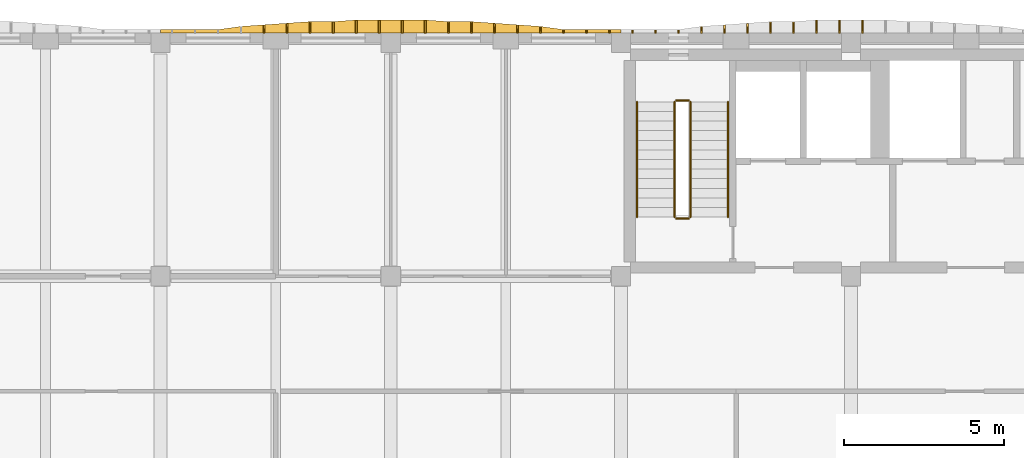
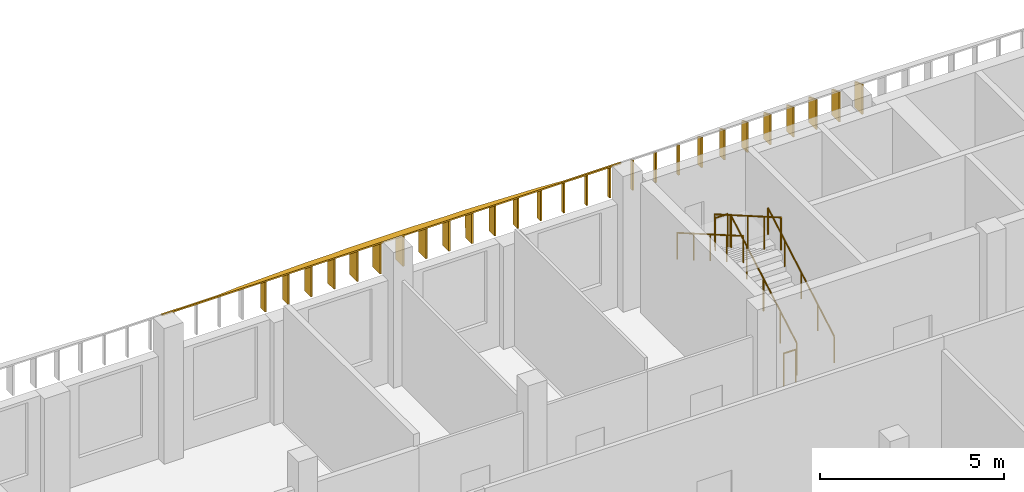
# One storey, part 36 of 44: 28 shading devices, 6 railings.
"""IFC4 building model written with IfcOpenShell, lengths in metres."""

from ifc_helpers import new_model, si_unit, direction, frame, origin, origin_2d, place, context, subcontext, project, spatial, polyline, circle, outline, extrude, material, layer, layer_set, type_object, element, save


model = new_model("IFC4")

# Units and contexts
model_context = context("Model", 3, precision=1e-05, world=origin(), true_north=direction((0.0, 1.0)))
body_context = subcontext(model_context, "Body", "Model", "MODEL_VIEW")
ifc_project = project(units=[si_unit("LENGTHUNIT", "METRE"), si_unit("AREAUNIT", "SQUARE_METRE"), si_unit("VOLUMEUNIT", "CUBIC_METRE"), si_unit("PLANEANGLEUNIT", "RADIAN"), si_unit("MASSUNIT", "GRAM", prefix="KILO")], contexts=[model_context])

# Site, building, storey
site_placement = place(None, origin())
site = spatial("IfcSite", under=ifc_project, at=site_placement, CompositionType="ELEMENT")
building_placement = place(site_placement, origin())
building = spatial("IfcBuilding", under=site, at=building_placement, Name="Ussher Court Research Institute", CompositionType="ELEMENT")
storey_placement = place(building_placement, frame((0.0, 0.0, 18.89990234375)))
storey = spatial("IfcBuildingStorey", under=building, at=storey_placement, Name="L04", CompositionType="ELEMENT", Elevation=18.89990234375)

# Shading devices
ifc_material_1 = material(Name="Bronze anodised aluminium", Category="aluminium")
ifc_layer_1 = layer(ifc_material_1, 0.050048828125)
ifc_layer_set_1 = layer_set([ifc_layer_1], Name="Bronze anodised aluminium")
shading_device_type_1 = type_object("IfcShadingDeviceType", Name="Brim blade 100 mm deep 1000 mm high canted 20 deg dry", PredefinedType="USERDEFINED", material=ifc_layer_set_1)
for number, where, z_axis, x_axis, name in (
    (1, (44.39990234375, 90.800048828125, 3.4501953125), (0.0, 0.0, 1.0), (0.0, 1.0, 0.0), "Brim blade BS17 L04"),
    (2, (45.1201171875, 90.800048828125, 3.4501953125), (0.0, 0.0, 1.0), (0.0, 1.0, 0.0), "Brim blade BS17 L04"),
    (3, (45.840087890625, 90.800048828125, 3.4501953125), (0.0, 0.0, 1.0), (0.0, 1.0, 0.0), "Brim blade BS17 L04"),
    (4, (46.56005859375, 90.800048828125, 3.4501953125), (0.0, 0.0, 1.0), (0.0, 1.0, 0.0), "Brim blade BS17 L04"),
    (5, (47.280029296875, 90.800048828125, 3.4501953125), (0.0, 0.0, 1.0), (0.0, 1.0, 0.0), "Brim blade BS17 L04"),
    (6, (48.0, 90.800048828125, 3.4501953125), (0.0, 0.0, 1.0), (0.0, 1.0, 0.0), "Brim blade BS17 L04"),
):
    element("IfcShadingDevice", number, at=place(storey_placement, frame(where, z_axis=z_axis, x_axis=x_axis)), inside=storey, type_object=shading_device_type_1, Name=name, ObjectType="BLADE", PredefinedType="USERDEFINED", context=body_context, shape_type="SweptSolid", body=[
        extrude(outline(polyline([(0.0, 0.0), (0.099853515625, 0.0), (0.10009765625, 0.963623046875), (0.0, 1.0), (0.0, 0.0)])), frame((0.0, 0.02490234375, 0.0), z_axis=(0.0, -1.0, 0.0), x_axis=(1.0, 0.0, 0.0)), (0.0, 0.0, 1.0), 0.050048828125),
    ])
ifc_material_2 = material(Name="Bronze anodised aluminium", Category="aluminium")
ifc_layer_2 = layer(ifc_material_2, 0.050048828125)
ifc_layer_set_2 = layer_set([ifc_layer_2], Name="Bronze anodised aluminium")
shading_device_type_2 = type_object("IfcShadingDeviceType", Name="Brim blade 200 mm deep 1000 mm high canted 20 deg dry", PredefinedType="USERDEFINED", material=ifc_layer_set_2)
for number, where, z_axis, x_axis, name in (
    (7, (43.679931640625, 90.800048828125, 3.4501953125), (0.0, 0.0, 1.0), (0.0, 1.0, 0.0), "Brim blade BS15 L04"),
    (8, (48.719970703125, 90.800048828125, 3.4501953125), (0.0, 0.0, 1.0), (0.0, 1.0, 0.0), "Brim blade BS15 L04"),
):
    element("IfcShadingDevice", number, at=place(storey_placement, frame(where, z_axis=z_axis, x_axis=x_axis)), inside=storey, type_object=shading_device_type_2, Name=name, ObjectType="BLADE", PredefinedType="USERDEFINED", context=body_context, shape_type="SweptSolid", body=[
        extrude(outline(polyline([(0.0, 0.0), (0.199951171875, 0.0), (0.199951171875, 0.927001953125), (0.0, 1.0), (0.0, 0.0)])), frame((0.0, 0.02490234375, 0.0), z_axis=(0.0, -1.0, 0.0), x_axis=(1.0, 0.0, 0.0)), (0.0, 0.0, 1.0), 0.050048828125),
    ])
ifc_material_3 = material(Name="Bronze anodised aluminium", Category="aluminium")
ifc_layer_3 = layer(ifc_material_3, 0.050048828125)
ifc_layer_set_3 = layer_set([ifc_layer_3], Name="Bronze anodised aluminium")
shading_device_type_3 = type_object("IfcShadingDeviceType", Name="Brim blade 250 mm deep 1000 mm high canted 20 deg dry", PredefinedType="USERDEFINED", material=ifc_layer_set_3)
for number, where, z_axis, x_axis, name in (
    (9, (35.0400390625, 90.800048828125, 3.4501953125), (0.0, 0.0, 1.0), (0.0, 1.0, 0.0), "Brim blade BS14 L04"),
    (10, (42.9599609375, 90.800048828125, 3.4501953125), (0.0, 0.0, 1.0), (0.0, 1.0, 0.0), "Brim blade BS14 L04"),
    (11, (49.43994140625, 90.800048828125, 3.4501953125), (0.0, 0.0, 1.0), (0.0, 1.0, 0.0), "Brim blade BS14 L04"),
):
    element("IfcShadingDevice", number, at=place(storey_placement, frame(where, z_axis=z_axis, x_axis=x_axis)), inside=storey, type_object=shading_device_type_3, Name=name, ObjectType="BLADE", PredefinedType="USERDEFINED", context=body_context, shape_type="SweptSolid", body=[
        extrude(outline(polyline([(0.0, 0.0), (0.25, 0.0), (0.25, 0.908935546875), (0.0, 1.0), (0.0, 0.0)])), frame((0.0, 0.02490234375, 0.0), z_axis=(0.0, -1.0, 0.0), x_axis=(1.0, 0.0, 0.0)), (0.0, 0.0, 1.0), 0.050048828125),
    ])
ifc_material_4 = material(Name="Bronze anodised aluminium", Category="aluminium")
ifc_layer_4 = layer(ifc_material_4, 0.050048828125)
ifc_layer_set_4 = layer_set([ifc_layer_4], Name="Bronze anodised aluminium")
shading_device_type_4 = type_object("IfcShadingDeviceType", Name="Brim blade 300 mm deep 1000 mm high canted 20 deg dry", PredefinedType="USERDEFINED", material=ifc_layer_set_4)
for number, where, z_axis, x_axis, name in (
    (12, (35.760009765625, 90.800048828125, 3.4501953125), (0.0, 0.0, 1.0), (0.0, 1.0, 0.0), "Brim blade BS13 L04"),
    (13, (42.239990234375, 90.800048828125, 3.4501953125), (0.0, 0.0, 1.0), (0.0, 1.0, 0.0), "Brim blade BS13 L04"),
    (14, (50.159912109375, 90.800048828125, 3.4501953125), (0.0, 0.0, 1.0), (0.0, 1.0, 0.0), "Brim blade BS13 L04"),
):
    element("IfcShadingDevice", number, at=place(storey_placement, frame(where, z_axis=z_axis, x_axis=x_axis)), inside=storey, type_object=shading_device_type_4, Name=name, ObjectType="BLADE", PredefinedType="USERDEFINED", context=body_context, shape_type="SweptSolid", body=[
        extrude(outline(polyline([(0.0, 0.0), (0.300048828125, 0.0), (0.300048828125, 0.890625), (0.0, 1.0), (0.0, 0.0)])), frame((0.0, 0.02490234375, 0.0), z_axis=(0.0, -1.0, 0.0), x_axis=(1.0, 0.0, 0.0)), (0.0, 0.0, 1.0), 0.050048828125),
    ])
ifc_material_5 = material(Name="Bronze anodised aluminium", Category="aluminium")
ifc_layer_5 = layer(ifc_material_5, 0.050048828125)
ifc_layer_set_5 = layer_set([ifc_layer_5], Name="Bronze anodised aluminium")
shading_device_type_5 = type_object("IfcShadingDeviceType", Name="Brim blade 350 mm deep 1000 mm high canted 20 deg dry", PredefinedType="USERDEFINED", material=ifc_layer_set_5)
for number, where, z_axis, x_axis, name in (
    (15, (36.47998046875, 90.800048828125, 3.4501953125), (0.0, 0.0, 1.0), (0.0, 1.0, 0.0), "Brim blade BS12 L04"),
    (16, (37.199951171875, 90.800048828125, 3.4501953125), (0.0, 0.0, 1.0), (0.0, 1.0, 0.0), "Brim blade BS12 L04"),
    (17, (40.800048828125, 90.800048828125, 3.4501953125), (0.0, 0.0, 1.0), (0.0, 1.0, 0.0), "Brim blade BS12 L04"),
    (18, (41.52001953125, 90.800048828125, 3.4501953125), (0.0, 0.0, 1.0), (0.0, 1.0, 0.0), "Brim blade BS12 L04"),
    (19, (50.8798828125, 90.800048828125, 3.4501953125), (0.0, 0.0, 1.0), (0.0, 1.0, 0.0), "Brim blade BS12 L04"),
    (20, (51.60009765625, 90.800048828125, 3.4501953125), (0.0, 0.0, 1.0), (0.0, 1.0, 0.0), "Brim blade BS12 L04"),
):
    element("IfcShadingDevice", number, at=place(storey_placement, frame(where, z_axis=z_axis, x_axis=x_axis)), inside=storey, type_object=shading_device_type_5, Name=name, ObjectType="BLADE", PredefinedType="USERDEFINED", context=body_context, shape_type="SweptSolid", body=[
        extrude(outline(polyline([(0.0, 0.0), (0.349853515625, 0.0), (0.35009765625, 0.87255859375), (0.0, 1.0), (0.0, 0.0)])), frame((0.0, 0.02490234375, 0.0), z_axis=(0.0, -1.0, 0.0), x_axis=(1.0, 0.0, 0.0)), (0.0, 0.0, 1.0), 0.050048828125),
    ])
ifc_material_6 = material(Name="Bronze anodised aluminium", Category="aluminium")
ifc_layer_6 = layer(ifc_material_6, 0.050048828125)
ifc_layer_set_6 = layer_set([ifc_layer_6], Name="Bronze anodised aluminium")
shading_device_type_6 = type_object("IfcShadingDeviceType", Name="Brim blade 400 mm deep 1000 mm high canted 20 deg dry", PredefinedType="USERDEFINED", material=ifc_layer_set_6)
for number, where, z_axis, x_axis, name in (
    (21, (37.919921875, 90.800048828125, 3.4501953125), (0.0, 0.0, 1.0), (0.0, 1.0, 0.0), "Brim blade BS11 L04"),
    (22, (38.639892578125, 90.800048828125, 3.4501953125), (0.0, 0.0, 1.0), (0.0, 1.0, 0.0), "Brim blade BS11 L04"),
    (23, (39.360107421875, 90.800048828125, 3.4501953125), (0.0, 0.0, 1.0), (0.0, 1.0, 0.0), "Brim blade BS11 L04"),
    (24, (40.080078125, 90.800048828125, 3.4501953125), (0.0, 0.0, 1.0), (0.0, 1.0, 0.0), "Brim blade BS11 L04"),
    (25, (52.320068359375, 90.800048828125, 3.4501953125), (0.0, 0.0, 1.0), (0.0, 1.0, 0.0), "Brim blade BS11 L04"),
    (26, (53.0400390625, 90.800048828125, 3.4501953125), (0.0, 0.0, 1.0), (0.0, 1.0, 0.0), "Brim blade BS11 L04"),
    (27, (53.760009765625, 90.800048828125, 3.4501953125), (0.0, 0.0, 1.0), (0.0, 1.0, 0.0), "Brim blade BS11 L04"),
):
    element("IfcShadingDevice", number, at=place(storey_placement, frame(where, z_axis=z_axis, x_axis=x_axis)), inside=storey, type_object=shading_device_type_6, Name=name, ObjectType="BLADE", PredefinedType="USERDEFINED", context=body_context, shape_type="SweptSolid", body=[
        extrude(outline(polyline([(0.0, 0.0), (0.39990234375, 0.0), (0.39990234375, 0.854248046875), (0.0, 1.0), (0.0, 0.0)])), frame((0.0, 0.02490234375, 0.0), z_axis=(0.0, -1.0, 0.0), x_axis=(1.0, 0.0, 0.0)), (0.0, 0.0, 1.0), 0.050048828125),
    ])
ifc_material_7 = material(Name="Bronze anodised aluminium", Category="aluminium")
ifc_layer_7 = layer(ifc_material_7, 0.0400390625)
ifc_layer_set_7 = layer_set([ifc_layer_7], Name="Bronze anodised aluminium")
shading_device_type_7 = type_object("IfcShadingDeviceType", Name="Brim visor sheet 40 mm canted 20 deg dry", PredefinedType="USERDEFINED", material=ifc_layer_set_7)
shading_device_placement = place(storey_placement, frame((31.800048828125, 90.813720703125, 4.48779296875), z_axis=(0.0, 0.342255787034, 0.939606820027), x_axis=(1.0, 0.0, 0.0)))
element("IfcShadingDevice", 28, at=shading_device_placement, inside=storey, type_object=shading_device_type_7, Name="Brim visor sheet BR2 L04", ObjectType="BRIM", PredefinedType="USERDEFINED", context=body_context, shape_type="SweptSolid", body=[
    extrude(outline(polyline([(0.0, 0.0), (14.39990234375, 0.0), (14.39990234375, 0.10650266320293991), (14.0400390625, 0.10650266320293991), (13.320068359375, 0.10650266320293991), (12.599853515625, 0.10650266320293991), (11.8798828125, 0.21285948875134061), (11.159912109375, 0.26606904108193236), (10.43994140625, 0.3193621519542805), (9.719970703125, 0.37257170428487224), (9.0, 0.37257170428487224), (8.280029296875, 0.42563541896092477), (7.56005859375, 0.42563541896092477), (6.83984375, 0.42563541896092477), (6.119873046875, 0.42563541896092477), (5.39990234375, 0.37257170428487224), (4.679931640625, 0.37257170428487224), (3.9599609375, 0.3193621519542805), (3.239990234375, 0.26606904108193236), (2.52001953125, 0.21285948875134061), (1.800048828125, 0.10650266320293991), (1.079833984375, 0.10650266320293991), (0.35986328125, 0.10650266320293991), (0.0, 0.10650266320293991), (0.0, 0.0)])), origin(), (0.0, 0.0, -1.0), 0.0400390625),
])

# Railings
ifc_material_8 = material(Name="Painted steel balustrade", Category="steel")
railing_type_1 = type_object("IfcRailingType", Name="Stair guard 1100 steel balustrade", PredefinedType="GUARDRAIL", material=ifc_material_8)
railing_1_placement = place(storey_placement, frame((48.3701171875, 85.050048828125, 0.173095703125)))
element("IfcRailing", 29, at=railing_1_placement, inside=storey, type_object=railing_type_1, Name="L04 D2 stair guard 1", PredefinedType="GUARDRAIL", context=body_context, shape_type="SweptSolid", body=[
    extrude(circle(Radius=0.02392578125, at=origin_2d()), frame((0.0, 0.0, 1.076171875), z_axis=(0.0, 0.866178740119, 0.499734319579), x_axis=(-1.0, 0.0, 0.0)), (0.0, 0.0, 1.0), 4.156005859375),
    extrude(circle(Radius=0.02099609375, at=origin_2d()), origin(), (0.0, 0.0, 1.0), 1.052001953125),
    extrude(circle(Radius=0.02099609375, at=origin_2d()), frame((0.0, 0.89990234375, 0.519287109375)), (0.0, 0.0, 1.0), 1.052001953125),
    extrude(circle(Radius=0.02099609375, at=origin_2d()), frame((0.0, 1.7998046875, 1.03857421875)), (0.0, 0.0, 1.0), 1.052001953125),
    extrude(circle(Radius=0.02099609375, at=origin_2d()), frame((0.0, 2.699951171875, 1.5576171875)), (0.0, 0.0, 1.0), 1.052001953125),
    extrude(circle(Radius=0.02099609375, at=origin_2d()), frame((0.0, 3.599853515625, 2.076904296875)), (0.0, 0.0, 1.0), 1.052001953125),
])
railing_2_placement = place(storey_placement, frame((48.320068359375, 88.699951171875, 2.25)))
element("IfcRailing", 30, at=railing_2_placement, inside=storey, type_object=railing_type_1, Name="L04 D2 stair guard 2", PredefinedType="GUARDRAIL", context=body_context, shape_type="SweptSolid", body=[
    extrude(circle(Radius=0.02392578125, at=origin_2d()), frame((0.0, 0.0, 1.076171875), z_axis=(-1.0, 0.0, 0.0), x_axis=(0.0, -1.0, 0.0)), (0.0, 0.0, 1.0), 0.39013671875),
    extrude(circle(Radius=0.02099609375, at=origin_2d()), origin(), (0.0, 0.0, 1.0), 1.052001953125),
    extrude(circle(Radius=0.02099609375, at=origin_2d()), frame((-0.39013671875, 0.0, 0.0)), (0.0, 0.0, 1.0), 1.052001953125),
])
railing_3_placement = place(storey_placement, frame((47.8798828125, 88.64990234375, 2.423095703125)))
element("IfcRailing", 31, at=railing_3_placement, inside=storey, type_object=railing_type_1, Name="L04 D2 stair guard 3", PredefinedType="GUARDRAIL", context=body_context, shape_type="SweptSolid", body=[
    extrude(circle(Radius=0.02392578125, at=origin_2d()), frame((0.0, 0.0, 1.076171875), z_axis=(0.0, -0.866178740119, 0.499734319579), x_axis=(1.0, 0.0, 0.0)), (0.0, 0.0, 1.0), 4.156005859375),
    extrude(circle(Radius=0.02099609375, at=origin_2d()), origin(), (0.0, 0.0, 1.0), 1.052001953125),
    extrude(circle(Radius=0.02099609375, at=origin_2d()), frame((0.0, -0.89990234375, 0.519287109375)), (0.0, 0.0, 1.0), 1.052001953125),
    extrude(circle(Radius=0.02099609375, at=origin_2d()), frame((0.0, -1.7998046875, 1.03857421875)), (0.0, 0.0, 1.0), 1.052001953125),
    extrude(circle(Radius=0.02099609375, at=origin_2d()), frame((0.0, -2.699951171875, 1.5576171875)), (0.0, 0.0, 1.0), 1.052001953125),
    extrude(circle(Radius=0.02099609375, at=origin_2d()), frame((0.0, -3.599853515625, 2.076904296875)), (0.0, 0.0, 1.0), 1.052001953125),
])
railing_4_placement = place(storey_placement, frame((48.320068359375, 85.0, 0.0)))
element("IfcRailing", 32, at=railing_4_placement, inside=storey, type_object=railing_type_1, Name="L04 D2 stair guard 4", PredefinedType="GUARDRAIL", context=body_context, shape_type="SweptSolid", body=[
    extrude(circle(Radius=0.02392578125, at=origin_2d()), frame((0.0, 0.0, 1.076171875), z_axis=(-1.0, 0.0, 0.0), x_axis=(0.0, -1.0, 0.0)), (0.0, 0.0, 1.0), 0.39013671875),
    extrude(circle(Radius=0.02099609375, at=origin_2d()), origin(), (0.0, 0.0, 1.0), 1.052001953125),
    extrude(circle(Radius=0.02099609375, at=origin_2d()), frame((-0.39013671875, 0.0, 0.0)), (0.0, 0.0, 1.0), 1.052001953125),
])
ifc_material_9 = material(Name="Painted steel handrail", Category="steel")
railing_type_2 = type_object("IfcRailingType", Name="Stair handrail 900 steel", PredefinedType="HANDRAIL", material=ifc_material_9)
railing_5_placement = place(storey_placement, frame((49.550048828125, 85.050048828125, 0.173095703125)))
element("IfcRailing", 33, at=railing_5_placement, inside=storey, type_object=railing_type_2, Name="L04 D2 stair handrail 1", PredefinedType="HANDRAIL", context=body_context, shape_type="SweptSolid", body=[
    extrude(circle(Radius=0.02392578125, at=origin_2d()), frame((0.0, 0.0, 0.8759765625), z_axis=(0.0, 0.866178740119, 0.499734319579), x_axis=(-1.0, 0.0, 0.0)), (0.0, 0.0, 1.0), 4.156005859375),
    extrude(circle(Radius=0.02099609375, at=origin_2d()), origin(), (0.0, 0.0, 1.0), 0.851806640625),
    extrude(circle(Radius=0.02099609375, at=origin_2d()), frame((0.0, 0.89990234375, 0.519287109375)), (0.0, 0.0, 1.0), 0.851806640625),
    extrude(circle(Radius=0.02099609375, at=origin_2d()), frame((0.0, 1.7998046875, 1.03857421875)), (0.0, 0.0, 1.0), 0.851806640625),
    extrude(circle(Radius=0.02099609375, at=origin_2d()), frame((0.0, 2.699951171875, 1.5576171875)), (0.0, 0.0, 1.0), 0.851806640625),
    extrude(circle(Radius=0.02099609375, at=origin_2d()), frame((0.0, 3.599853515625, 2.076904296875)), (0.0, 0.0, 1.0), 0.851806640625),
])
railing_6_placement = place(storey_placement, frame((46.699951171875, 88.64990234375, 2.423095703125)))
element("IfcRailing", 34, at=railing_6_placement, inside=storey, type_object=railing_type_2, Name="L04 D2 stair handrail 2", PredefinedType="HANDRAIL", context=body_context, shape_type="SweptSolid", body=[
    extrude(circle(Radius=0.02392578125, at=origin_2d()), frame((0.0, 0.0, 0.8759765625), z_axis=(0.0, -0.866178740119, 0.499734319579), x_axis=(1.0, 0.0, 0.0)), (0.0, 0.0, 1.0), 4.156005859375),
    extrude(circle(Radius=0.02099609375, at=origin_2d()), origin(), (0.0, 0.0, 1.0), 0.851806640625),
    extrude(circle(Radius=0.02099609375, at=origin_2d()), frame((0.0, -0.89990234375, 0.519287109375)), (0.0, 0.0, 1.0), 0.851806640625),
    extrude(circle(Radius=0.02099609375, at=origin_2d()), frame((0.0, -1.7998046875, 1.03857421875)), (0.0, 0.0, 1.0), 0.851806640625),
    extrude(circle(Radius=0.02099609375, at=origin_2d()), frame((0.0, -2.699951171875, 1.5576171875)), (0.0, 0.0, 1.0), 0.851806640625),
    extrude(circle(Radius=0.02099609375, at=origin_2d()), frame((0.0, -3.599853515625, 2.076904296875)), (0.0, 0.0, 1.0), 0.851806640625),
])

save(model, "model.ifc")
